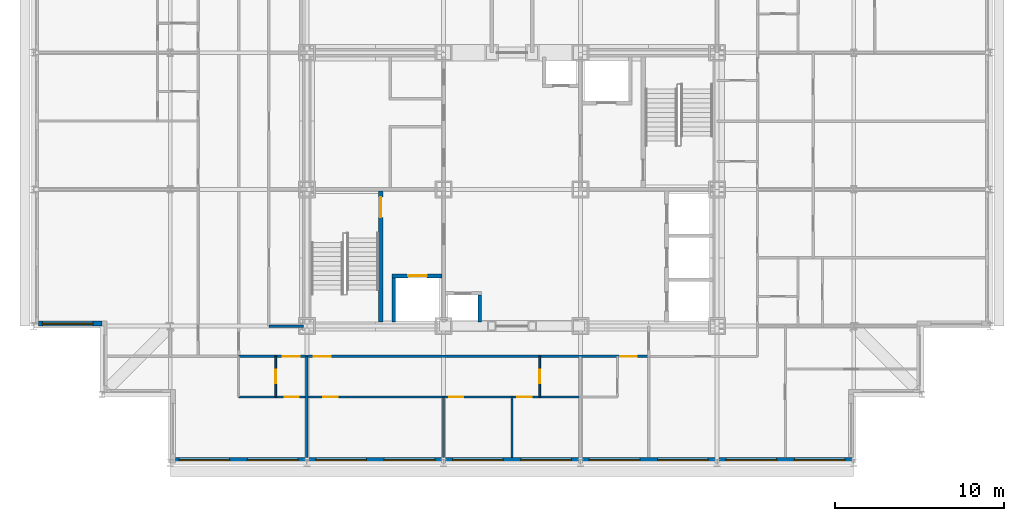
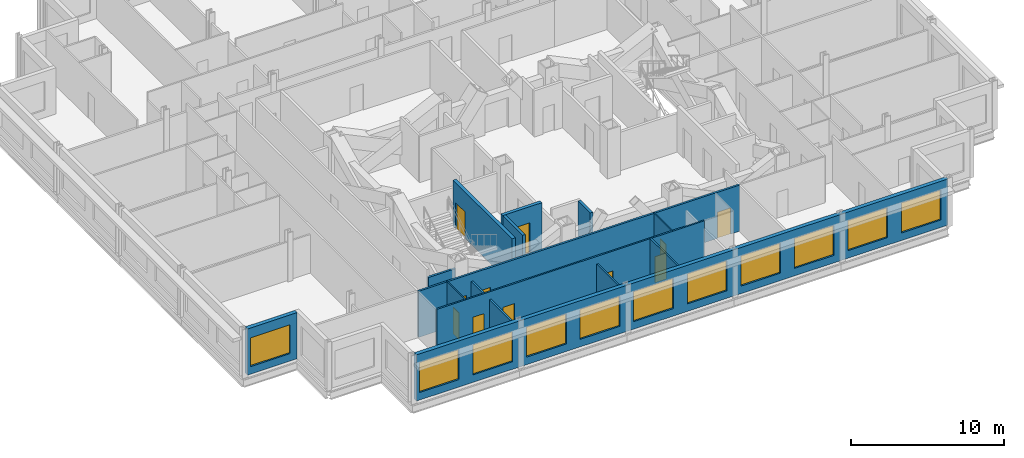
# One storey, part 7 of 15: 14 walls, 11 doors, 11 windows, 22 openings.
"""IFC4 building model written with IfcOpenShell, lengths in metres."""

import ifcopenshell
import ifcopenshell.guid

model = None  # the IFC model being written
_history = None  # IfcOwnerHistory: only IFC2X3 demands one
_inside = {}  # id of a spatial element -> (the spatial element, [elements in it])
_under = {}  # id of a project, library or spatial element -> (it, [spatial elements below it])
_declared = {}  # id of a project -> (the project, [libraries it declares])
_typed = {}  # id of a type object -> (the type object, [elements of that type])
_made_of = {}  # id of a material, layer set ... -> (it, [elements and type objects made of it])


def new_model(schema):
    """Start an empty IFC model of exactly this schema.

    Asked for "IFC4X3", IfcOpenShell would pick the latest addendum, in which some entities
    have other attributes; the version numbers below select the first issue.
    IFC2X3 requires an IfcOwnerHistory on every rooted entity: one is made here for all.
    """
    global model, _history
    if schema == "IFC4X3":
        model = ifcopenshell.file(schema_version=(4, 3, 0, 0))
    else:
        model = ifcopenshell.file(schema=schema)
    _inside.clear()
    _under.clear()
    _declared.clear()
    _typed.clear()
    _made_of.clear()
    _history = None
    if model.schema == "IFC2X3":
        org = make("IfcOrganization", Name="unknown")
        user = make(
            "IfcPersonAndOrganization",
            ThePerson=make("IfcPerson", FamilyName="unknown"),
            TheOrganization=org,
        )
        app = make(
            "IfcApplication",
            ApplicationDeveloper=org,
            Version="unknown",
            ApplicationFullName="unknown",
            ApplicationIdentifier="unknown",
        )
        _history = make(
            "IfcOwnerHistory",
            OwningUser=user,
            OwningApplication=app,
            ChangeAction="ADDED",
            CreationDate=0,
        )
    return model


def make(cls, **values):
    """One entity of the class cls with the attributes given. An attribute that is None is left unset."""
    return model.create_entity(
        cls, **{name: value for name, value in values.items() if value is not None}
    )


def rooted(cls, **values):
    """An entity with a GlobalId (a new one), such as an element, a storey or a relation."""
    return make(cls, GlobalId=ifcopenshell.guid.new(), OwnerHistory=_history, **values)


def si_unit(unit_type, name, prefix=None):
    """IfcSIUnit, for example si_unit("LENGTHUNIT", "METRE", prefix="MILLI")."""
    return make("IfcSIUnit", UnitType=unit_type, Prefix=prefix, Name=name)


def assignment(units):
    """IfcUnitAssignment: the units of a project."""
    return None if units is None else make("IfcUnitAssignment", Units=units)


def point(xyz):
    """IfcCartesianPoint."""
    return None if xyz is None else make("IfcCartesianPoint", Coordinates=xyz)


def direction(xyz):
    """IfcDirection."""
    return None if xyz is None else make("IfcDirection", DirectionRatios=xyz)


def frame(location, z_axis=None, x_axis=None):
    """IfcAxis2Placement3D, a coordinate frame: its origin and axes. An axis left out is left unset."""
    return make(
        "IfcAxis2Placement3D",
        Location=point(location),
        Axis=direction(z_axis),
        RefDirection=direction(x_axis),
    )


def frame_2d(location, x_axis=None):
    """IfcAxis2Placement2D, a coordinate frame in the plane: its origin and x axis."""
    return make(
        "IfcAxis2Placement2D", Location=point(location), RefDirection=direction(x_axis)
    )


def origin():
    """The frame at (0, 0, 0) with its axes left unset."""
    return frame((0.0, 0.0, 0.0))


def place(relative_to, where):
    """IfcLocalPlacement: puts the frame where relative to a parent placement (None: the world)."""
    return make(
        "IfcLocalPlacement", PlacementRelTo=relative_to, RelativePlacement=where
    )


def context(
    kind, dimensions, precision=None, world=None, true_north=None, identifier=None
):
    """IfcGeometricRepresentationContext, for example the 3D "Model" context."""
    return make(
        "IfcGeometricRepresentationContext",
        ContextIdentifier=identifier,
        ContextType=kind,
        CoordinateSpaceDimension=dimensions,
        Precision=precision,
        WorldCoordinateSystem=world,
        TrueNorth=true_north,
    )


def subcontext(parent, identifier, kind, view, scale=None):
    """IfcGeometricRepresentationSubContext, for example "Body" below "Model"."""
    return make(
        "IfcGeometricRepresentationSubContext",
        ContextIdentifier=identifier,
        ContextType=kind,
        ParentContext=parent,
        TargetScale=scale,
        TargetView=view,
    )


def project(units=None, contexts=None):
    """IfcProject with its units and contexts."""
    return rooted(
        "IfcProject",
        Name="project",
        RepresentationContexts=contexts,
        UnitsInContext=assignment(units),
    )


def spatial(cls, under=None, at=None, **own):
    """A site, building, storey or space (cls), placed at a placement, below another one or the project."""
    s = rooted(cls, ObjectPlacement=at, **own)
    if under is not None:
        _under.setdefault(under.id(), (under, []))[1].append(s)
    return s


def profile(cls, at=None, kind="AREA", **sizes):
    """A parametric profile (cls). Its sizes go by their IFC names, for example OverallWidth=200.0."""
    return make(cls, ProfileType=kind, Position=at, **sizes)


def rectangle(**sizes):
    """IfcRectangleProfileDef."""
    return profile("IfcRectangleProfileDef", **sizes)


def extrude(swept, where, along, depth):
    """IfcExtrudedAreaSolid: the profile swept, set in the frame where, extruded along a direction by depth."""
    return make(
        "IfcExtrudedAreaSolid",
        SweptArea=swept,
        Position=where,
        ExtrudedDirection=direction(along),
        Depth=depth,
    )


def shape(context_of_items, identifier, shape_type, items):
    """IfcShapeRepresentation: the items that make up one representation, for example the "Body"."""
    return make(
        "IfcShapeRepresentation",
        ContextOfItems=context_of_items,
        RepresentationIdentifier=identifier,
        RepresentationType=shape_type,
        Items=items,
    )


def material(Name=None, Category=None):
    """IfcMaterial."""
    return make("IfcMaterial", Name=Name, Category=Category)


def layer(
    of_material, thickness, ventilated=None, Name=None, Category=None, Priority=None
):
    """IfcMaterialLayer: one layer of a wall or slab, of a material (None: an air gap)."""
    return make(
        "IfcMaterialLayer",
        Material=of_material,
        LayerThickness=thickness,
        IsVentilated=ventilated,
        Name=Name,
        Category=Category,
        Priority=Priority,
    )


def layer_set(layers, Name=None):
    """IfcMaterialLayerSet."""
    return make("IfcMaterialLayerSet", MaterialLayers=layers, LayerSetName=Name)


def made_of(thing, what):
    """Note that an element or type object is made of a material, layer set ...; save() writes the relation."""
    if what is not None:
        _made_of.setdefault(what.id(), (what, []))[1].append(thing)
    return thing


def type_object(cls, material=None, **own):
    """A type object (cls), such as IfcWallType, which elements share."""
    return made_of(rooted(cls, **own), material)


def element(
    cls,
    number,
    at=None,
    inside=None,
    cuts=None,
    type_object=None,
    material=None,
    context=None,
    identifier="Body",
    shape_type=None,
    held_by="IfcProductDefinitionShape",
    body=None,
    shapes=None,
    **own,
):
    """One element of the class cls, such as IfcWall. Its Tag is "e" and its number.

    at: its placement. inside: the storey or other place that contains it. cuts: it is an
    opening in that element (IfcRelVoidsElement). A single representation is given by context,
    identifier, shape_type and body (its items); several are given by shapes. held_by: the class
    of the entity that holds the representations. save() writes the other relations.
    """
    e = rooted(cls, Tag="e%d" % number, ObjectPlacement=at, **own)
    if body is not None:
        shapes = [shape(context, identifier, shape_type, body)]
    if shapes is not None:
        e.Representation = make(held_by, Representations=shapes)
    if inside is not None:
        _inside.setdefault(inside.id(), (inside, []))[1].append(e)
    if cuts is not None:
        rooted(
            "IfcRelVoidsElement", RelatingBuildingElement=cuts, RelatedOpeningElement=e
        )
    if type_object is not None:
        _typed.setdefault(type_object.id(), (type_object, []))[1].append(e)
    return made_of(e, material)


def fill(opening, filler):
    """IfcRelFillsElement: the door or window that sits in an opening."""
    return rooted(
        "IfcRelFillsElement",
        RelatingOpeningElement=opening,
        RelatedBuildingElement=filler,
    )


def aggregate(whole, parts):
    """IfcRelAggregates: a whole, such as a stair, and the parts it consists of."""
    return rooted("IfcRelAggregates", RelatingObject=whole, RelatedObjects=parts)


def save(model, path):
    """Write the relations noted so far, then the file.

    IfcRelAggregates (storeys below a building ...), IfcRelContainedInSpatialStructure (elements
    in a storey), IfcRelDefinesByType, IfcRelAssociatesMaterial and IfcRelDeclares: one each for
    every whole, place, type object, material and project.
    """
    for whole, parts in _under.values():
        aggregate(whole, parts)
    for where, things in _inside.values():
        rooted(
            "IfcRelContainedInSpatialStructure",
            RelatedElements=things,
            RelatingStructure=where,
        )
    for kind, things in _typed.values():
        rooted("IfcRelDefinesByType", RelatedObjects=things, RelatingType=kind)
    for what, things in _made_of.values():
        rooted("IfcRelAssociatesMaterial", RelatedObjects=things, RelatingMaterial=what)
    for by, libraries in _declared.values():
        rooted("IfcRelDeclares", RelatingContext=by, RelatedDefinitions=libraries)
    model.write(path)


model = new_model("IFC4")

# Units and contexts
model_context = context("Model", 3, precision=1e-05, world=origin(), true_north=direction((0.0, 1.0)))
body_context = subcontext(model_context, "Body", "Model", "MODEL_VIEW")
ifc_project = project(units=[si_unit("LENGTHUNIT", "METRE"), si_unit("AREAUNIT", "SQUARE_METRE"), si_unit("VOLUMEUNIT", "CUBIC_METRE"), si_unit("PLANEANGLEUNIT", "RADIAN"), si_unit("MASSUNIT", "GRAM", prefix="KILO")], contexts=[model_context])

# Site, building, storey
site_placement = place(None, origin())
site = spatial("IfcSite", under=ifc_project, at=site_placement, CompositionType="ELEMENT")
building_placement = place(site_placement, origin())
building = spatial("IfcBuilding", under=site, at=building_placement, Name="Kopane Lantern Tower", CompositionType="ELEMENT")
storey_placement = place(building_placement, frame((0.0, 0.0, 285.300048828125)))
storey = spatial("IfcBuildingStorey", under=building, at=storey_placement, Name="L73", CompositionType="ELEMENT", Elevation=285.300048828125)

# Walls
ifc_material_1 = material(Name="Gypsum board on steel studs", Category="steel")
ifc_layer_1 = layer(ifc_material_1, 0.1201171875)
ifc_layer_set_1 = layer_set([ifc_layer_1], Name="APARTMENT INTERNAL WALL 120")
wall_type_1 = type_object("IfcWallType", Name="APARTMENT INTERNAL WALL 120", PredefinedType="PARTITIONING", material=ifc_layer_set_1)
wall_1_placement = place(storey_placement, frame((24.300048828125, 20.10009765625, 0.0), z_axis=(0.0, 0.0, 1.0), x_axis=(0.0, -1.0, 0.0)))
element("IfcWall", 1, at=wall_1_placement, inside=storey, type_object=wall_type_1, Name="Apartment Internal Wall 120 L73", PredefinedType="PARTITIONING", context=body_context, shape_type="SweptSolid", body=[
    extrude(rectangle(XDim=3.60009765625, YDim=0.1201171875, at=frame_2d((1.800048828125, 0.0))), origin(), (0.0, 0.0, 1.0), 3.07763671875),
])
wall_2_placement = place(storey_placement, frame((28.35009765625, 20.10009765625, 0.0), z_axis=(0.0, 0.0, 1.0), x_axis=(0.0, -1.0, 0.0)))
element("IfcWall", 2, at=wall_2_placement, inside=storey, type_object=wall_type_1, Name="Apartment Internal Wall 120 L73", PredefinedType="PARTITIONING", context=body_context, shape_type="SweptSolid", body=[
    extrude(rectangle(XDim=3.60009765625, YDim=0.1201171875, at=frame_2d((1.800048828125, 0.0))), origin(), (0.0, 0.0, 1.0), 3.68994140625),
])

# Wall, openings, doors
wall_3_placement = place(storey_placement, frame((12.14990234375, 20.10009765625, 0.0), z_axis=(0.0, 0.0, 1.0), x_axis=(1.0, 0.0, 0.0)))
wall_3 = element("IfcWall", 3, at=wall_3_placement, inside=storey, type_object=wall_type_1, Name="Apartment Internal Wall 120 L73", PredefinedType="PARTITIONING", context=body_context, shape_type="SweptSolid", body=[
    extrude(rectangle(XDim=20.25, YDim=0.1201171875, at=frame_2d((10.125, 0.0))), origin(), (0.0, 0.0, 1.0), 3.68994140625),
])
opening_1_placement = place(wall_3_placement, frame((5.02490234375, 0.0, 0.0)))
opening_1 = element("IfcOpeningElement", 4, at=opening_1_placement, cuts=wall_3, Name="Opening L73-008", PredefinedType="OPENING", context=body_context, shape_type="SweptSolid", body=[
    extrude(rectangle(XDim=0.85009765625, YDim=2.10009765625, at=frame_2d((0.425048828125, 1.050048828125))), frame((0.0, 0.070068359375, 0.0), z_axis=(0.0, -1.0, 0.0), x_axis=(1.0, 0.0, 0.0)), (0.0, 0.0, 1.0), 0.14013671875),
])
opening_2_placement = place(wall_3_placement, frame((12.47509765625, 0.0, 0.0)))
opening_2 = element("IfcOpeningElement", 5, at=opening_2_placement, cuts=wall_3, Name="Opening L73-009", PredefinedType="OPENING", context=body_context, shape_type="SweptSolid", body=[
    extrude(rectangle(XDim=0.85009765625, YDim=2.10009765625, at=frame_2d((0.425048828125, 1.050048828125))), frame((0.0, 0.070068359375, 0.0), z_axis=(0.0, -1.0, 0.0), x_axis=(1.0, 0.0, 0.0)), (0.0, 0.0, 1.0), 0.14013671875),
])
opening_3_placement = place(wall_3_placement, frame((16.52490234375, 0.0, 0.0)))
opening_3 = element("IfcOpeningElement", 6, at=opening_3_placement, cuts=wall_3, Name="Opening L73-010", PredefinedType="OPENING", context=body_context, shape_type="SweptSolid", body=[
    extrude(rectangle(XDim=0.85009765625, YDim=2.10009765625, at=frame_2d((0.425048828125, 1.050048828125))), frame((0.0, 0.070068359375, 0.0), z_axis=(0.0, -1.0, 0.0), x_axis=(1.0, 0.0, 0.0)), (0.0, 0.0, 1.0), 0.14013671875),
])
opening_4_placement = place(wall_3_placement, frame((2.72509765625, 0.0, 0.0)))
opening_4 = element("IfcOpeningElement", 7, at=opening_4_placement, cuts=wall_3, Name="Opening L73-032", PredefinedType="OPENING", context=body_context, shape_type="SweptSolid", body=[
    extrude(rectangle(XDim=0.85009765625, YDim=2.10009765625, at=frame_2d((0.425048828125, 1.050048828125))), frame((0.0, 0.070068359375, 0.0), z_axis=(0.0, -1.0, 0.0), x_axis=(1.0, 0.0, 0.0)), (0.0, 0.0, 1.0), 0.14013671875),
])
ifc_material_2 = material(Name="Timber door set", Category="wood")
door_type_1 = type_object("IfcDoorType", Name="DOOR D4 850x2100", OperationType="SINGLE_SWING_LEFT", PredefinedType="DOOR", material=ifc_material_2)
door_1_placement = place(opening_1_placement, origin())
door_1 = element("IfcDoor", 8, at=door_1_placement, inside=storey, type_object=door_type_1, Name="Door L73-008", OperationType="SINGLE_SWING_LEFT", OverallHeight=2.10009765625, OverallWidth=0.85009765625, PredefinedType="DOOR", context=body_context, shape_type="SweptSolid", body=[
    extrude(rectangle(XDim=0.85009765625, YDim=2.10009765625, at=frame_2d((0.425048828125, 1.050048828125))), frame((0.0, 0.02490234375, 0.0), z_axis=(0.0, -1.0, 0.0), x_axis=(1.0, 0.0, 0.0)), (0.0, 0.0, 1.0), 0.050048828125),
])
fill(opening_1, door_1)
door_2_placement = place(opening_2_placement, origin())
door_2 = element("IfcDoor", 9, at=door_2_placement, inside=storey, type_object=door_type_1, Name="Door L73-009", OperationType="SINGLE_SWING_RIGHT", OverallHeight=2.10009765625, OverallWidth=0.85009765625, PredefinedType="DOOR", context=body_context, shape_type="SweptSolid", body=[
    extrude(rectangle(XDim=0.85009765625, YDim=2.10009765625, at=frame_2d((0.425048828125, 1.050048828125))), frame((0.0, 0.02490234375, 0.0), z_axis=(0.0, -1.0, 0.0), x_axis=(1.0, 0.0, 0.0)), (0.0, 0.0, 1.0), 0.050048828125),
])
fill(opening_2, door_2)
door_3_placement = place(opening_3_placement, origin())
door_3 = element("IfcDoor", 10, at=door_3_placement, inside=storey, type_object=door_type_1, Name="Door L73-010", OperationType="SINGLE_SWING_RIGHT", OverallHeight=2.10009765625, OverallWidth=0.85009765625, PredefinedType="DOOR", context=body_context, shape_type="SweptSolid", body=[
    extrude(rectangle(XDim=0.85009765625, YDim=2.10009765625, at=frame_2d((0.425048828125, 1.050048828125))), frame((0.0, 0.02490234375, 0.0), z_axis=(0.0, -1.0, 0.0), x_axis=(1.0, 0.0, 0.0)), (0.0, 0.0, 1.0), 0.050048828125),
])
fill(opening_3, door_3)
door_4_placement = place(opening_4_placement, origin())
door_4 = element("IfcDoor", 11, at=door_4_placement, inside=storey, type_object=door_type_1, Name="Door L73-032", OperationType="SINGLE_SWING_LEFT", OverallHeight=2.10009765625, OverallWidth=0.85009765625, PredefinedType="DOOR", context=body_context, shape_type="SweptSolid", body=[
    extrude(rectangle(XDim=0.85009765625, YDim=2.10009765625, at=frame_2d((0.425048828125, 1.050048828125))), frame((0.0, 0.02490234375, 0.0), z_axis=(0.0, -1.0, 0.0), x_axis=(1.0, 0.0, 0.0)), (0.0, 0.0, 1.0), 0.050048828125),
])
fill(opening_4, door_4)

# Wall, opening, door
ifc_material_3 = material(Name="Moisture-resistant board on steel studs", Category="steel")
ifc_layer_2 = layer(ifc_material_3, 0.10009765625)
ifc_layer_set_2 = layer_set([ifc_layer_2], Name="BATHROOM WALL 100")
wall_type_2 = type_object("IfcWallType", Name="BATHROOM WALL 100", PredefinedType="PARTITIONING", material=ifc_layer_set_2)
wall_4_placement = place(storey_placement, frame((30.0, 22.5, 0.0), z_axis=(0.0, 0.0, 1.0), x_axis=(0.0, -1.0, 0.0)))
wall_4 = element("IfcWall", 12, at=wall_4_placement, inside=storey, type_object=wall_type_2, Name="Bathroom Wall 100 L73", PredefinedType="PARTITIONING", context=body_context, shape_type="SweptSolid", body=[
    extrude(rectangle(XDim=2.39990234375, YDim=0.10009765625, at=frame_2d((1.199951171875, 0.0))), origin(), (0.0, 0.0, 1.0), 3.68994140625),
])
opening_5_placement = place(wall_4_placement, frame((0.800048828125, 0.0, 0.0)))
opening_5 = element("IfcOpeningElement", 13, at=opening_5_placement, cuts=wall_4, Name="Opening L73-006", PredefinedType="OPENING", context=body_context, shape_type="SweptSolid", body=[
    extrude(rectangle(XDim=0.800048828125, YDim=2.10009765625, at=frame_2d((0.39990234375, 1.050048828125))), frame((0.0, 0.06005859375, 0.0), z_axis=(0.0, -1.0, 0.0), x_axis=(1.0, 0.0, 0.0)), (0.0, 0.0, 1.0), 0.1201171875),
])
ifc_material_4 = material(Name="Timber door set", Category="wood")
door_type_2 = type_object("IfcDoorType", Name="DOOR D2 800x2100", OperationType="SINGLE_SWING_LEFT", PredefinedType="DOOR", material=ifc_material_4)
door_5_placement = place(opening_5_placement, origin())
door_5 = element("IfcDoor", 14, at=door_5_placement, inside=storey, type_object=door_type_2, Name="Door L73-006", OperationType="SINGLE_SWING_LEFT", OverallHeight=2.10009765625, OverallWidth=0.800048828125, PredefinedType="DOOR", context=body_context, shape_type="SweptSolid", body=[
    extrude(rectangle(XDim=0.800048828125, YDim=2.10009765625, at=frame_2d((0.39990234375, 1.050048828125))), frame((0.0, 0.02490234375, 0.0), z_axis=(0.0, -1.0, 0.0), x_axis=(1.0, 0.0, 0.0)), (0.0, 0.0, 1.0), 0.050048828125),
])
fill(opening_5, door_5)

wall_5_placement = place(storey_placement, frame((14.35009765625, 22.5, 0.0), z_axis=(0.0, 0.0, 1.0), x_axis=(0.0, -1.0, 0.0)))
wall_5 = element("IfcWall", 15, at=wall_5_placement, inside=storey, type_object=wall_type_2, Name="Bathroom Wall 100 L73", PredefinedType="PARTITIONING", context=body_context, shape_type="SweptSolid", body=[
    extrude(rectangle(XDim=2.39990234375, YDim=0.10009765625, at=frame_2d((1.199951171875, 0.0))), origin(), (0.0, 0.0, 1.0), 3.68994140625),
])
opening_6_placement = place(wall_5_placement, frame((0.800048828125, 0.0, 0.0)))
opening_6 = element("IfcOpeningElement", 16, at=opening_6_placement, cuts=wall_5, Name="Opening L73-030", PredefinedType="OPENING", context=body_context, shape_type="SweptSolid", body=[
    extrude(rectangle(XDim=0.800048828125, YDim=2.10009765625, at=frame_2d((0.39990234375, 1.050048828125))), frame((0.0, 0.06005859375, 0.0), z_axis=(0.0, -1.0, 0.0), x_axis=(1.0, 0.0, 0.0)), (0.0, 0.0, 1.0), 0.1201171875),
])
door_6_placement = place(opening_6_placement, origin())
door_6 = element("IfcDoor", 17, at=door_6_placement, inside=storey, type_object=door_type_2, Name="Door L73-030", OperationType="SINGLE_SWING_RIGHT", OverallHeight=2.10009765625, OverallWidth=0.800048828125, PredefinedType="DOOR", context=body_context, shape_type="SweptSolid", body=[
    extrude(rectangle(XDim=0.800048828125, YDim=2.10009765625, at=frame_2d((0.39990234375, 1.050048828125))), frame((0.0, 0.02490234375, 0.0), z_axis=(0.0, -1.0, 0.0), x_axis=(1.0, 0.0, 0.0)), (0.0, 0.0, 1.0), 0.050048828125),
])
fill(opening_6, door_6)

ifc_material_5 = material(Name="Gypsum shaft wall EI 120", Category="gypsum")
ifc_layer_3 = layer(ifc_material_5, 0.25)
ifc_layer_set_3 = layer_set([ifc_layer_3], Name="CORE SHAFT WALL 250 EI 120")
wall_type_3 = type_object("IfcWallType", Name="CORE SHAFT WALL 250 EI 120", PredefinedType="SOLIDWALL", material=ifc_layer_set_3)
wall_6_placement = place(storey_placement, frame((20.574951171875, 24.550048828125, 0.0), z_axis=(0.0, 0.0, 1.0), x_axis=(0.0, 1.0, 0.0)))
wall_6 = element("IfcWall", 18, at=wall_6_placement, inside=storey, type_object=wall_type_3, Name="Core shaft wall L73 XST1", PredefinedType="SOLIDWALL", context=body_context, shape_type="SweptSolid", body=[
    extrude(rectangle(XDim=7.75, YDim=0.25, at=frame_2d((3.875, 0.0))), origin(), (0.0, 0.0, 1.0), 3.68994140625),
])
opening_7_placement = place(wall_6_placement, frame((6.199951171875, 0.0, 0.0)))
opening_7 = element("IfcOpeningElement", 19, at=opening_7_placement, cuts=wall_6, Name="Opening 73.SD1", PredefinedType="OPENING", context=body_context, shape_type="SweptSolid", body=[
    extrude(rectangle(XDim=1.199951171875, YDim=2.10009765625, at=frame_2d((0.60009765625, 1.050048828125))), frame((0.0, 0.135009765625, 0.0), z_axis=(0.0, -1.0, 0.0), x_axis=(1.0, 0.0, 0.0)), (0.0, 0.0, 1.0), 0.27001953125),
])
ifc_material_6 = material(Name="Steel door set", Category="steel")
door_type_3 = type_object("IfcDoorType", Name="STAIR DOOR 1200x2100 FD60S", OperationType="SINGLE_SWING_LEFT", PredefinedType="DOOR", material=ifc_material_6)
door_7_placement = place(opening_7_placement, origin())
door_7 = element("IfcDoor", 20, at=door_7_placement, inside=storey, type_object=door_type_3, Name="Stair door ST1 L73", OperationType="SINGLE_SWING_LEFT", OverallHeight=2.10009765625, OverallWidth=1.199951171875, PredefinedType="DOOR", context=body_context, shape_type="SweptSolid", body=[
    extrude(rectangle(XDim=1.199951171875, YDim=2.10009765625, at=frame_2d((0.60009765625, 1.050048828125))), frame((0.0, 0.02490234375, 0.0), z_axis=(0.0, -1.0, 0.0), x_axis=(1.0, 0.0, 0.0)), (0.0, 0.0, 1.0), 0.050048828125),
])
fill(opening_7, door_7)

wall_7_placement = place(storey_placement, frame((21.25, 27.27490234375, 0.0), z_axis=(0.0, 0.0, 1.0), x_axis=(1.0, 0.0, 0.0)))
wall_7 = element("IfcWall", 21, at=wall_7_placement, inside=storey, type_object=wall_type_3, Name="Core shaft wall L73 YLF1", PredefinedType="SOLIDWALL", context=body_context, shape_type="SweptSolid", body=[
    extrude(rectangle(XDim=2.949951171875, YDim=0.25, at=frame_2d((1.47509765625, 0.0))), origin(), (0.0, 0.0, 1.0), 3.68994140625),
])
opening_8_placement = place(wall_7_placement, frame((0.949951171875, 0.0, 0.0)))
opening_8 = element("IfcOpeningElement", 22, at=opening_8_placement, cuts=wall_7, Name="Opening 73.LD-LF1", PredefinedType="OPENING", context=body_context, shape_type="SweptSolid", body=[
    extrude(rectangle(XDim=1.10009765625, YDim=2.39990234375, at=frame_2d((0.550048828125, 1.199951171875))), frame((0.0, 0.135009765625, 0.0), z_axis=(0.0, -1.0, 0.0), x_axis=(1.0, 0.0, 0.0)), (0.0, 0.0, 1.0), 0.27001953125),
])
ifc_material_7 = material(Name="Steel door set", Category="steel")
door_type_4 = type_object("IfcDoorType", Name="LIFT LANDING DOOR 1100x2400 FD60", OperationType="DOUBLE_DOOR_SLIDING", PredefinedType="DOOR", material=ifc_material_7)
door_8_placement = place(opening_8_placement, origin())
door_8 = element("IfcDoor", 23, at=door_8_placement, inside=storey, type_object=door_type_4, Name="Landing door LF1 L73", OperationType="DOUBLE_DOOR_SLIDING", OverallHeight=2.39990234375, OverallWidth=1.10009765625, PredefinedType="DOOR", context=body_context, shape_type="SweptSolid", body=[
    extrude(rectangle(XDim=1.10009765625, YDim=2.39990234375, at=frame_2d((0.550048828125, 1.199951171875))), frame((0.0, 0.02490234375, 0.0), z_axis=(0.0, -1.0, 0.0), x_axis=(1.0, 0.0, 0.0)), (0.0, 0.0, 1.0), 0.050048828125),
])
fill(opening_8, door_8)

# Wall, openings, doors
ifc_material_8 = material(Name="Gypsum board on steel studs", Category="steel")
ifc_layer_4 = layer(ifc_material_8, 0.14990234375)
ifc_layer_set_4 = layer_set([ifc_layer_4], Name="CORRIDOR WALL 150 EI 60")
wall_type_4 = type_object("IfcWallType", Name="CORRIDOR WALL 150 EI 60", PredefinedType="PARTITIONING", material=ifc_layer_set_4)
wall_8_placement = place(storey_placement, frame((12.14990234375, 22.5, 0.0), z_axis=(0.0, 0.0, 1.0), x_axis=(1.0, 0.0, 0.0)))
wall_8 = element("IfcWall", 24, at=wall_8_placement, inside=storey, type_object=wall_type_4, Name="Corridor Wall 150 Ei 60 L73", PredefinedType="PARTITIONING", context=body_context, shape_type="SweptSolid", body=[
    extrude(rectangle(XDim=24.300048828125, YDim=0.14990234375, at=frame_2d((12.14990234375, 0.0))), origin(), (0.0, 0.0, 1.0), 3.68994140625),
])
opening_9_placement = place(wall_8_placement, frame((4.449951171875, 0.0, 0.0)))
opening_9 = element("IfcOpeningElement", 25, at=opening_9_placement, cuts=wall_8, Name="Opening L73-007", PredefinedType="OPENING", context=body_context, shape_type="SweptSolid", body=[
    extrude(rectangle(XDim=1.0, YDim=2.10009765625, at=frame_2d((0.5, 1.050048828125))), frame((0.0, 0.0849609375, 0.0), z_axis=(0.0, -1.0, 0.0), x_axis=(1.0, 0.0, 0.0)), (0.0, 0.0, 1.0), 0.169921875),
])
opening_10_placement = place(wall_8_placement, frame((22.60009765625, 0.0, 0.0)))
opening_10 = element("IfcOpeningElement", 26, at=opening_10_placement, cuts=wall_8, Name="Opening L73-012", PredefinedType="OPENING", context=body_context, shape_type="SweptSolid", body=[
    extrude(rectangle(XDim=1.0, YDim=2.10009765625, at=frame_2d((0.5, 1.050048828125))), frame((0.0, 0.0849609375, 0.0), z_axis=(0.0, -1.0, 0.0), x_axis=(1.0, 0.0, 0.0)), (0.0, 0.0, 1.0), 0.169921875),
])
opening_11_placement = place(wall_8_placement, frame((2.625, 0.0, 0.0)))
opening_11 = element("IfcOpeningElement", 27, at=opening_11_placement, cuts=wall_8, Name="Opening L73-031", PredefinedType="OPENING", context=body_context, shape_type="SweptSolid", body=[
    extrude(rectangle(XDim=1.0, YDim=2.10009765625, at=frame_2d((0.5, 1.050048828125))), frame((0.0, 0.0849609375, 0.0), z_axis=(0.0, -1.0, 0.0), x_axis=(1.0, 0.0, 0.0)), (0.0, 0.0, 1.0), 0.169921875),
])
ifc_material_9 = material(Name="Steel door set", Category="steel")
door_type_5 = type_object("IfcDoorType", Name="DOOR D3 1000x2100 FD30S", OperationType="SINGLE_SWING_LEFT", PredefinedType="DOOR", material=ifc_material_9)
door_9_placement = place(opening_9_placement, origin())
door_9 = element("IfcDoor", 28, at=door_9_placement, inside=storey, type_object=door_type_5, Name="Door L73-007", OperationType="SINGLE_SWING_RIGHT", OverallHeight=2.10009765625, OverallWidth=1.0, PredefinedType="DOOR", context=body_context, shape_type="SweptSolid", body=[
    extrude(rectangle(XDim=1.0, YDim=2.10009765625, at=frame_2d((0.5, 1.050048828125))), frame((0.0, 0.02490234375, 0.0), z_axis=(0.0, -1.0, 0.0), x_axis=(1.0, 0.0, 0.0)), (0.0, 0.0, 1.0), 0.050048828125),
])
fill(opening_9, door_9)
door_10_placement = place(opening_10_placement, origin())
door_10 = element("IfcDoor", 29, at=door_10_placement, inside=storey, type_object=door_type_5, Name="Door L73-012", OperationType="SINGLE_SWING_RIGHT", OverallHeight=2.10009765625, OverallWidth=1.0, PredefinedType="DOOR", context=body_context, shape_type="SweptSolid", body=[
    extrude(rectangle(XDim=1.0, YDim=2.10009765625, at=frame_2d((0.5, 1.050048828125))), frame((0.0, 0.02490234375, 0.0), z_axis=(0.0, -1.0, 0.0), x_axis=(1.0, 0.0, 0.0)), (0.0, 0.0, 1.0), 0.050048828125),
])
fill(opening_10, door_10)
door_11_placement = place(opening_11_placement, origin())
door_11 = element("IfcDoor", 30, at=door_11_placement, inside=storey, type_object=door_type_5, Name="Door L73-031", OperationType="SINGLE_SWING_RIGHT", OverallHeight=2.10009765625, OverallWidth=1.0, PredefinedType="DOOR", context=body_context, shape_type="SweptSolid", body=[
    extrude(rectangle(XDim=1.0, YDim=2.10009765625, at=frame_2d((0.5, 1.050048828125))), frame((0.0, 0.02490234375, 0.0), z_axis=(0.0, -1.0, 0.0), x_axis=(1.0, 0.0, 0.0)), (0.0, 0.0, 1.0), 0.050048828125),
])
fill(opening_11, door_11)

# Walls
wall_9_placement = place(storey_placement, frame((16.0, 24.300048828125, 0.0), z_axis=(0.0, 0.0, 1.0), x_axis=(-1.0, 0.0, 0.0)))
element("IfcWall", 31, at=wall_9_placement, inside=storey, type_object=wall_type_4, Name="Corridor Wall 150 Ei 60 L73", PredefinedType="PARTITIONING", context=body_context, shape_type="SweptSolid", body=[
    extrude(rectangle(XDim=2.050048828125, YDim=0.14990234375, at=frame_2d((1.02490234375, 0.0))), origin(), (0.0, 0.0, 1.0), 3.07763671875),
])
ifc_material_10 = material(Name="Gypsum board on steel studs", Category="steel")
ifc_layer_5 = layer(ifc_material_10, 0.14990234375)
ifc_layer_set_5 = layer_set([ifc_layer_5], Name="DEMISING WALL 150 EI 60")
wall_type_5 = type_object("IfcWallType", Name="DEMISING WALL 150 EI 60", PredefinedType="PARTITIONING", material=ifc_layer_set_5)
wall_10_placement = place(storey_placement, frame((16.199951171875, 22.5, 0.0), z_axis=(0.0, 0.0, 1.0), x_axis=(0.0, -1.0, 0.0)))
element("IfcWall", 32, at=wall_10_placement, inside=storey, type_object=wall_type_5, Name="Demising Wall 150 Ei 60 L73", PredefinedType="PARTITIONING", context=body_context, shape_type="SweptSolid", body=[
    extrude(rectangle(XDim=6.0, YDim=0.14990234375, at=frame_2d((3.0, 0.0))), origin(), (0.0, 0.0, 1.0), 3.07763671875),
])

# Wall, openings, windows
ifc_material_11 = material(Name="Terracotta rainscreen on light steel framing", Category="masonry")
ifc_layer_6 = layer(ifc_material_11, 0.300048828125)
ifc_layer_set_6 = layer_set([ifc_layer_6], Name="EXTERNAL WALL EW1 300 TERRACOTTA")
wall_type_6 = type_object("IfcWallType", Name="EXTERNAL WALL EW1 300 TERRACOTTA", PredefinedType="SOLIDWALL", material=ifc_layer_set_6)
wall_11_placement = place(storey_placement, frame((8.39990234375, 16.35009765625, 0.0), z_axis=(0.0, 0.0, 1.0), x_axis=(1.0, 0.0, 0.0)))
wall_11 = element("IfcWall", 33, at=wall_11_placement, inside=storey, type_object=wall_type_6, Name="External wall S L73", PredefinedType="SOLIDWALL", context=body_context, shape_type="SweptSolid", body=[
    extrude(rectangle(XDim=40.2001953125, YDim=0.300048828125, at=frame_2d((20.10009765625, 0.0))), origin(), (0.0, 0.0, 1.0), 3.68994140625),
])
opening_12_placement = place(wall_11_placement, frame((0.22509765625, 0.0, 0.60009765625)))
opening_12 = element("IfcOpeningElement", 34, at=opening_12_placement, cuts=wall_11, Name="Opening WR300240", PredefinedType="OPENING", context=body_context, shape_type="SweptSolid", body=[
    extrude(rectangle(XDim=3.0, YDim=2.39990234375, at=frame_2d((1.5, 1.199951171875))), frame((0.0, 0.159912109375, 0.0), z_axis=(0.0, -1.0, 0.0), x_axis=(1.0, 0.0, 0.0)), (0.0, 0.0, 1.0), 0.320068359375),
])
opening_13_placement = place(wall_11_placement, frame((4.27490234375, 0.0, 0.60009765625)))
opening_13 = element("IfcOpeningElement", 35, at=opening_13_placement, cuts=wall_11, Name="Opening WR300240", PredefinedType="OPENING", context=body_context, shape_type="SweptSolid", body=[
    extrude(rectangle(XDim=3.0, YDim=2.39990234375, at=frame_2d((1.5, 1.199951171875))), frame((0.0, 0.159912109375, 0.0), z_axis=(0.0, -1.0, 0.0), x_axis=(1.0, 0.0, 0.0)), (0.0, 0.0, 1.0), 0.320068359375),
])
opening_14_placement = place(wall_11_placement, frame((8.324951171875, 0.0, 0.60009765625)))
opening_14 = element("IfcOpeningElement", 36, at=opening_14_placement, cuts=wall_11, Name="Opening WR300240", PredefinedType="OPENING", context=body_context, shape_type="SweptSolid", body=[
    extrude(rectangle(XDim=3.0, YDim=2.39990234375, at=frame_2d((1.5, 1.199951171875))), frame((0.0, 0.159912109375, 0.0), z_axis=(0.0, -1.0, 0.0), x_axis=(1.0, 0.0, 0.0)), (0.0, 0.0, 1.0), 0.320068359375),
])
opening_15_placement = place(wall_11_placement, frame((12.375, 0.0, 0.60009765625)))
opening_15 = element("IfcOpeningElement", 37, at=opening_15_placement, cuts=wall_11, Name="Opening WR300240", PredefinedType="OPENING", context=body_context, shape_type="SweptSolid", body=[
    extrude(rectangle(XDim=3.0, YDim=2.39990234375, at=frame_2d((1.5, 1.199951171875))), frame((0.0, 0.159912109375, 0.0), z_axis=(0.0, -1.0, 0.0), x_axis=(1.0, 0.0, 0.0)), (0.0, 0.0, 1.0), 0.320068359375),
])
opening_16_placement = place(wall_11_placement, frame((16.425048828125, 0.0, 0.60009765625)))
opening_16 = element("IfcOpeningElement", 38, at=opening_16_placement, cuts=wall_11, Name="Opening WR300240", PredefinedType="OPENING", context=body_context, shape_type="SweptSolid", body=[
    extrude(rectangle(XDim=3.0, YDim=2.39990234375, at=frame_2d((1.5, 1.199951171875))), frame((0.0, 0.159912109375, 0.0), z_axis=(0.0, -1.0, 0.0), x_axis=(1.0, 0.0, 0.0)), (0.0, 0.0, 1.0), 0.320068359375),
])
opening_17_placement = place(wall_11_placement, frame((20.47509765625, 0.0, 0.60009765625)))
opening_17 = element("IfcOpeningElement", 39, at=opening_17_placement, cuts=wall_11, Name="Opening WR300240", PredefinedType="OPENING", context=body_context, shape_type="SweptSolid", body=[
    extrude(rectangle(XDim=3.0, YDim=2.39990234375, at=frame_2d((1.5, 1.199951171875))), frame((0.0, 0.159912109375, 0.0), z_axis=(0.0, -1.0, 0.0), x_axis=(1.0, 0.0, 0.0)), (0.0, 0.0, 1.0), 0.320068359375),
])
opening_18_placement = place(wall_11_placement, frame((24.52490234375, 0.0, 0.60009765625)))
opening_18 = element("IfcOpeningElement", 40, at=opening_18_placement, cuts=wall_11, Name="Opening WR300240", PredefinedType="OPENING", context=body_context, shape_type="SweptSolid", body=[
    extrude(rectangle(XDim=3.0, YDim=2.39990234375, at=frame_2d((1.5, 1.199951171875))), frame((0.0, 0.159912109375, 0.0), z_axis=(0.0, -1.0, 0.0), x_axis=(1.0, 0.0, 0.0)), (0.0, 0.0, 1.0), 0.320068359375),
])
opening_19_placement = place(wall_11_placement, frame((28.574951171875, 0.0, 0.60009765625)))
opening_19 = element("IfcOpeningElement", 41, at=opening_19_placement, cuts=wall_11, Name="Opening WR300240", PredefinedType="OPENING", context=body_context, shape_type="SweptSolid", body=[
    extrude(rectangle(XDim=3.0, YDim=2.39990234375, at=frame_2d((1.5, 1.199951171875))), frame((0.0, 0.159912109375, 0.0), z_axis=(0.0, -1.0, 0.0), x_axis=(1.0, 0.0, 0.0)), (0.0, 0.0, 1.0), 0.320068359375),
])
opening_20_placement = place(wall_11_placement, frame((32.625, 0.0, 0.60009765625)))
opening_20 = element("IfcOpeningElement", 42, at=opening_20_placement, cuts=wall_11, Name="Opening WR300240", PredefinedType="OPENING", context=body_context, shape_type="SweptSolid", body=[
    extrude(rectangle(XDim=3.0, YDim=2.39990234375, at=frame_2d((1.5, 1.199951171875))), frame((0.0, 0.159912109375, 0.0), z_axis=(0.0, -1.0, 0.0), x_axis=(1.0, 0.0, 0.0)), (0.0, 0.0, 1.0), 0.320068359375),
])
opening_21_placement = place(wall_11_placement, frame((36.675048828125, 0.0, 0.60009765625)))
opening_21 = element("IfcOpeningElement", 43, at=opening_21_placement, cuts=wall_11, Name="Opening WR300240", PredefinedType="OPENING", context=body_context, shape_type="SweptSolid", body=[
    extrude(rectangle(XDim=3.0, YDim=2.39990234375, at=frame_2d((1.5, 1.199951171875))), frame((0.0, 0.159912109375, 0.0), z_axis=(0.0, -1.0, 0.0), x_axis=(1.0, 0.0, 0.0)), (0.0, 0.0, 1.0), 0.320068359375),
])
ifc_material_12 = material(Name="Aluminium and clear glass", Category="aluminium")
window_type_1 = type_object("IfcWindowType", Name="RIBBON WINDOW WR300240 3000x2400", PartitioningType="SINGLE_PANEL", PredefinedType="WINDOW", material=ifc_material_12)
window_1_placement = place(opening_12_placement, origin())
window_1 = element("IfcWindow", 44, at=window_1_placement, inside=storey, type_object=window_type_1, Name="Window S L73", OverallHeight=2.39990234375, OverallWidth=3.0, PartitioningType="SINGLE_PANEL", PredefinedType="WINDOW", context=body_context, shape_type="SweptSolid", body=[
    extrude(rectangle(XDim=3.0, YDim=2.39990234375, at=frame_2d((1.5, 1.199951171875))), frame((0.0, 0.030029296875, 0.0), z_axis=(0.0, -1.0, 0.0), x_axis=(1.0, 0.0, 0.0)), (0.0, 0.0, 1.0), 0.06005859375),
])
fill(opening_12, window_1)
window_2_placement = place(opening_13_placement, origin())
window_2 = element("IfcWindow", 45, at=window_2_placement, inside=storey, type_object=window_type_1, Name="Window S L73", OverallHeight=2.39990234375, OverallWidth=3.0, PartitioningType="SINGLE_PANEL", PredefinedType="WINDOW", context=body_context, shape_type="SweptSolid", body=[
    extrude(rectangle(XDim=3.0, YDim=2.39990234375, at=frame_2d((1.5, 1.199951171875))), frame((0.0, 0.030029296875, 0.0), z_axis=(0.0, -1.0, 0.0), x_axis=(1.0, 0.0, 0.0)), (0.0, 0.0, 1.0), 0.06005859375),
])
fill(opening_13, window_2)
window_3_placement = place(opening_14_placement, origin())
window_3 = element("IfcWindow", 46, at=window_3_placement, inside=storey, type_object=window_type_1, Name="Window S L73", OverallHeight=2.39990234375, OverallWidth=3.0, PartitioningType="SINGLE_PANEL", PredefinedType="WINDOW", context=body_context, shape_type="SweptSolid", body=[
    extrude(rectangle(XDim=3.0, YDim=2.39990234375, at=frame_2d((1.5, 1.199951171875))), frame((0.0, 0.030029296875, 0.0), z_axis=(0.0, -1.0, 0.0), x_axis=(1.0, 0.0, 0.0)), (0.0, 0.0, 1.0), 0.06005859375),
])
fill(opening_14, window_3)
window_4_placement = place(opening_15_placement, origin())
window_4 = element("IfcWindow", 47, at=window_4_placement, inside=storey, type_object=window_type_1, Name="Window S L73", OverallHeight=2.39990234375, OverallWidth=3.0, PartitioningType="SINGLE_PANEL", PredefinedType="WINDOW", context=body_context, shape_type="SweptSolid", body=[
    extrude(rectangle(XDim=3.0, YDim=2.39990234375, at=frame_2d((1.5, 1.199951171875))), frame((0.0, 0.030029296875, 0.0), z_axis=(0.0, -1.0, 0.0), x_axis=(1.0, 0.0, 0.0)), (0.0, 0.0, 1.0), 0.06005859375),
])
fill(opening_15, window_4)
window_5_placement = place(opening_16_placement, origin())
window_5 = element("IfcWindow", 48, at=window_5_placement, inside=storey, type_object=window_type_1, Name="Window S L73", OverallHeight=2.39990234375, OverallWidth=3.0, PartitioningType="SINGLE_PANEL", PredefinedType="WINDOW", context=body_context, shape_type="SweptSolid", body=[
    extrude(rectangle(XDim=3.0, YDim=2.39990234375, at=frame_2d((1.5, 1.199951171875))), frame((0.0, 0.030029296875, 0.0), z_axis=(0.0, -1.0, 0.0), x_axis=(1.0, 0.0, 0.0)), (0.0, 0.0, 1.0), 0.06005859375),
])
fill(opening_16, window_5)
window_6_placement = place(opening_17_placement, origin())
window_6 = element("IfcWindow", 49, at=window_6_placement, inside=storey, type_object=window_type_1, Name="Window S L73", OverallHeight=2.39990234375, OverallWidth=3.0, PartitioningType="SINGLE_PANEL", PredefinedType="WINDOW", context=body_context, shape_type="SweptSolid", body=[
    extrude(rectangle(XDim=3.0, YDim=2.39990234375, at=frame_2d((1.5, 1.199951171875))), frame((0.0, 0.030029296875, 0.0), z_axis=(0.0, -1.0, 0.0), x_axis=(1.0, 0.0, 0.0)), (0.0, 0.0, 1.0), 0.06005859375),
])
fill(opening_17, window_6)
window_7_placement = place(opening_18_placement, origin())
window_7 = element("IfcWindow", 50, at=window_7_placement, inside=storey, type_object=window_type_1, Name="Window S L73", OverallHeight=2.39990234375, OverallWidth=3.0, PartitioningType="SINGLE_PANEL", PredefinedType="WINDOW", context=body_context, shape_type="SweptSolid", body=[
    extrude(rectangle(XDim=3.0, YDim=2.39990234375, at=frame_2d((1.5, 1.199951171875))), frame((0.0, 0.030029296875, 0.0), z_axis=(0.0, -1.0, 0.0), x_axis=(1.0, 0.0, 0.0)), (0.0, 0.0, 1.0), 0.06005859375),
])
fill(opening_18, window_7)
window_8_placement = place(opening_19_placement, origin())
window_8 = element("IfcWindow", 51, at=window_8_placement, inside=storey, type_object=window_type_1, Name="Window S L73", OverallHeight=2.39990234375, OverallWidth=3.0, PartitioningType="SINGLE_PANEL", PredefinedType="WINDOW", context=body_context, shape_type="SweptSolid", body=[
    extrude(rectangle(XDim=3.0, YDim=2.39990234375, at=frame_2d((1.5, 1.199951171875))), frame((0.0, 0.030029296875, 0.0), z_axis=(0.0, -1.0, 0.0), x_axis=(1.0, 0.0, 0.0)), (0.0, 0.0, 1.0), 0.06005859375),
])
fill(opening_19, window_8)
window_9_placement = place(opening_20_placement, origin())
window_9 = element("IfcWindow", 52, at=window_9_placement, inside=storey, type_object=window_type_1, Name="Window S L73", OverallHeight=2.39990234375, OverallWidth=3.0, PartitioningType="SINGLE_PANEL", PredefinedType="WINDOW", context=body_context, shape_type="SweptSolid", body=[
    extrude(rectangle(XDim=3.0, YDim=2.39990234375, at=frame_2d((1.5, 1.199951171875))), frame((0.0, 0.030029296875, 0.0), z_axis=(0.0, -1.0, 0.0), x_axis=(1.0, 0.0, 0.0)), (0.0, 0.0, 1.0), 0.06005859375),
])
fill(opening_20, window_9)
window_10_placement = place(opening_21_placement, origin())
window_10 = element("IfcWindow", 53, at=window_10_placement, inside=storey, type_object=window_type_1, Name="Window S L73", OverallHeight=2.39990234375, OverallWidth=3.0, PartitioningType="SINGLE_PANEL", PredefinedType="WINDOW", context=body_context, shape_type="SweptSolid", body=[
    extrude(rectangle(XDim=3.0, YDim=2.39990234375, at=frame_2d((1.5, 1.199951171875))), frame((0.0, 0.030029296875, 0.0), z_axis=(0.0, -1.0, 0.0), x_axis=(1.0, 0.0, 0.0)), (0.0, 0.0, 1.0), 0.06005859375),
])
fill(opening_21, window_10)

# Wall, opening, window
wall_12_placement = place(storey_placement, frame((0.300048828125, 24.449951171875, 0.0), z_axis=(0.0, 0.0, 1.0), x_axis=(1.0, 0.0, 0.0)))
wall_12 = element("IfcWall", 54, at=wall_12_placement, inside=storey, type_object=wall_type_6, Name="External wall S L73", PredefinedType="SOLIDWALL", context=body_context, shape_type="SweptSolid", body=[
    extrude(rectangle(XDim=3.75, YDim=0.300048828125, at=frame_2d((1.875, 0.0))), origin(), (0.0, 0.0, 1.0), 3.68994140625),
])
opening_22_placement = place(wall_12_placement, frame((0.22509765625, 0.0, 0.60009765625)))
opening_22 = element("IfcOpeningElement", 55, at=opening_22_placement, cuts=wall_12, Name="Opening WR300230", PredefinedType="OPENING", context=body_context, shape_type="SweptSolid", body=[
    extrude(rectangle(XDim=3.0, YDim=2.300048828125, at=frame_2d((1.5, 1.14990234375))), frame((0.0, 0.159912109375, 0.0), z_axis=(0.0, -1.0, 0.0), x_axis=(1.0, 0.0, 0.0)), (0.0, 0.0, 1.0), 0.320068359375),
])
ifc_material_13 = material(Name="Aluminium and clear glass", Category="aluminium")
window_type_2 = type_object("IfcWindowType", Name="RIBBON WINDOW WR300230 3000x2300", PartitioningType="SINGLE_PANEL", PredefinedType="WINDOW", material=ifc_material_13)
window_11_placement = place(opening_22_placement, origin())
window_11 = element("IfcWindow", 56, at=window_11_placement, inside=storey, type_object=window_type_2, Name="Window S L73", OverallHeight=2.300048828125, OverallWidth=3.0, PartitioningType="SINGLE_PANEL", PredefinedType="WINDOW", context=body_context, shape_type="SweptSolid", body=[
    extrude(rectangle(XDim=3.0, YDim=2.300048828125, at=frame_2d((1.5, 1.14990234375))), frame((0.0, 0.030029296875, 0.0), z_axis=(0.0, -1.0, 0.0), x_axis=(1.0, 0.0, 0.0)), (0.0, 0.0, 1.0), 0.06005859375),
])
fill(opening_22, window_11)

# Walls
ifc_material_14 = material(Name="Gypsum shaft wall EI 120", Category="gypsum")
ifc_layer_7 = layer(ifc_material_14, 0.199951171875)
ifc_layer_set_7 = layer_set([ifc_layer_7], Name="SHAFT WALL 200 EI 120")
wall_type_7 = type_object("IfcWallType", Name="SHAFT WALL 200 EI 120", PredefinedType="SOLIDWALL", material=ifc_layer_set_7)
wall_13_placement = place(storey_placement, frame((21.35009765625, 24.550048828125, 0.0), z_axis=(0.0, 0.0, 1.0), x_axis=(0.0, 1.0, 0.0)))
element("IfcWall", 57, at=wall_13_placement, inside=storey, type_object=wall_type_7, Name="Core shaft wall L73 XLF1", PredefinedType="SOLIDWALL", context=body_context, shape_type="SweptSolid", body=[
    extrude(rectangle(XDim=2.599853515625, YDim=0.199951171875, at=frame_2d((1.2998046875, 0.0))), origin(), (0.0, 0.0, 1.0), 3.68994140625),
])
wall_14_placement = place(storey_placement, frame((26.449951171875, 24.550048828125, 0.0), z_axis=(0.0, 0.0, 1.0), x_axis=(0.0, 1.0, 0.0)))
element("IfcWall", 58, at=wall_14_placement, inside=storey, type_object=wall_type_7, Name="Core shaft wall L73 XRS1", PredefinedType="SOLIDWALL", context=body_context, shape_type="SweptSolid", body=[
    extrude(rectangle(XDim=1.599853515625, YDim=0.199951171875, at=frame_2d((0.7998046875, 0.0))), origin(), (0.0, 0.0, 1.0), 3.68994140625),
])

save(model, "model.ifc")
